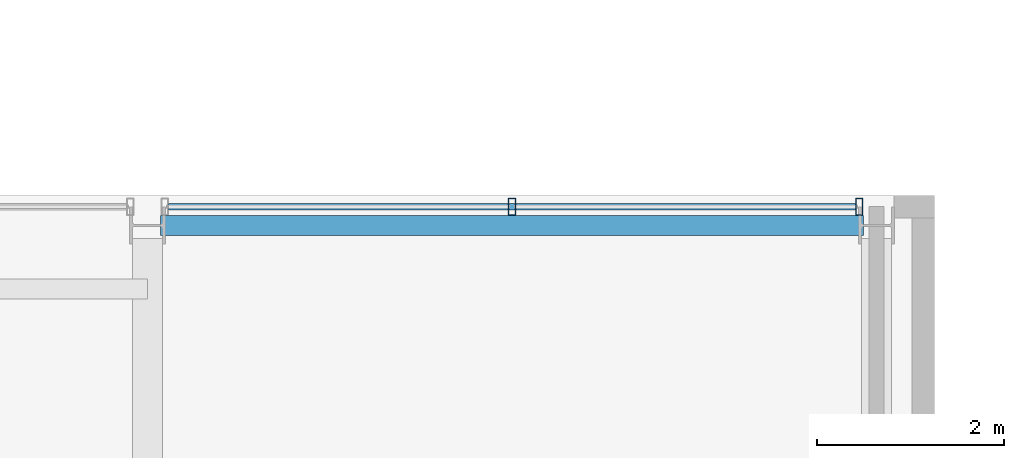
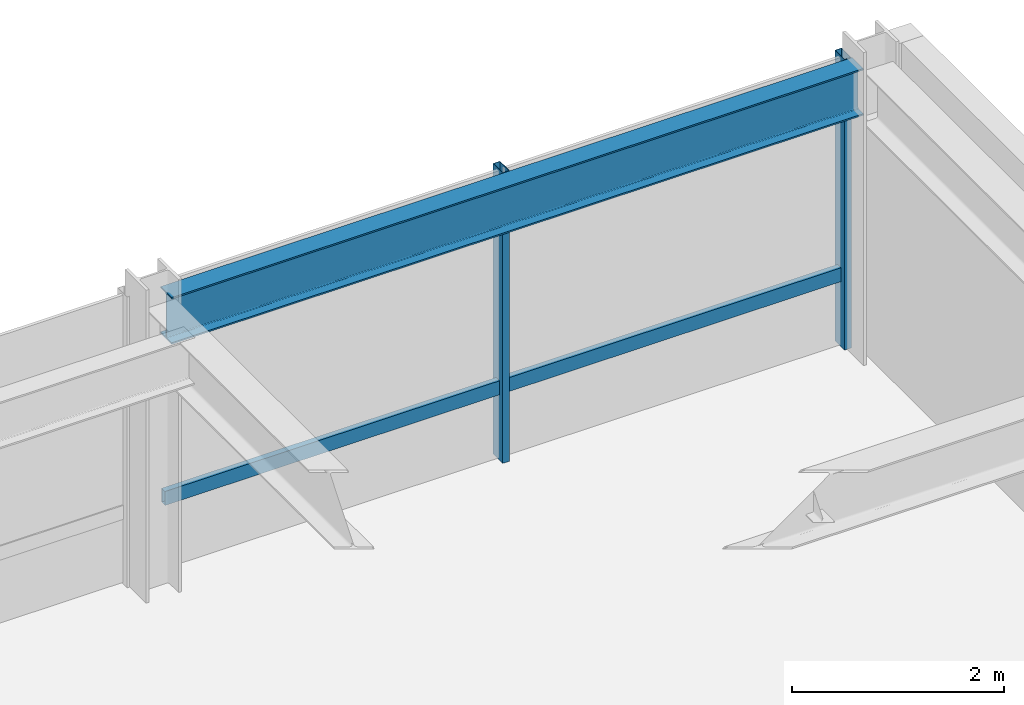
# One storey, part 23 of 31: 3 members, 1 beam, 1 element without a shape of its own.
"""IFC4 building model written with IfcOpenShell, lengths in metres."""

from ifc_helpers import new_model, si_unit, direction, frame, origin, origin_2d, place, context, subcontext, project, spatial, hollow_rectangle, i_section, extrude, material, layer, layer_set, material_profile, profile_set, type_object, element, aggregate, save


model = new_model("IFC4")

# Units and contexts
model_context = context("Model", 3, precision=1e-05, world=origin(), true_north=direction((0.0, 1.0)))
body_context = subcontext(model_context, "Body", "Model", "MODEL_VIEW")
ifc_project = project(units=[si_unit("LENGTHUNIT", "METRE"), si_unit("AREAUNIT", "SQUARE_METRE"), si_unit("VOLUMEUNIT", "CUBIC_METRE"), si_unit("PLANEANGLEUNIT", "RADIAN"), si_unit("MASSUNIT", "GRAM", prefix="KILO")], contexts=[model_context])

# Site, building, storey
site_placement = place(None, origin())
site = spatial("IfcSite", under=ifc_project, at=site_placement, CompositionType="ELEMENT")
building_placement = place(site_placement, origin())
building = spatial("IfcBuilding", under=site, at=building_placement, Name="Drelvath Grand Hotel", CompositionType="ELEMENT")
storey_placement = place(building_placement, frame((0.0, 0.0, 219.5)))
storey = spatial("IfcBuildingStorey", under=building, at=storey_placement, Name="L57", CompositionType="ELEMENT", Elevation=219.5)

# Curtain wall, members
ifc_material_1 = material(Name="Platinum-Mist Anodised Aluminium Frame", Category="aluminium")
ifc_layer = layer(ifc_material_1, 0.199951171875)
ifc_layer_set = layer_set([ifc_layer], Name="Platinum-Mist Anodised Aluminium Frame")
curtain_wall_type = type_object("IfcCurtainWallType", Name="Stick Curtain Wall CW-05 Platinum Mist High-Rise", PredefinedType="NOTDEFINED", material=ifc_layer_set)
curtain_wall_placement = place(storey_placement, origin())
curtain_wall = element("IfcCurtainWall", 1, at=curtain_wall_placement, inside=storey, type_object=curtain_wall_type, Name="L57 CW-05 Curtain Wall CW05-L57-NE2", PredefinedType="NOTDEFINED")
ifc_material_profile_1 = material_profile(ifc_material_1, hollow_rectangle(XDim=0.06494140625, YDim=0.159912109375, WallThickness=0.00390625, at=origin_2d()), Name="HSS160X65X4")
ifc_profile_set_1 = profile_set([ifc_material_profile_1], Name="Platinum-Mist Anodised Aluminium Frame")
member_type_1 = type_object("IfcMemberType", Name="Curtain Wall Horizontal Transom CW-05 HSS160X65X4", PredefinedType="USERDEFINED", material=ifc_profile_set_1)
member_1_placement = place(storey_placement, frame((8.625244140625, 49.080078125, 0.8349609375), z_axis=(1.0, 0.0, 0.0), x_axis=(0.0, 1.0, 0.0)))
member_1 = element("IfcMember", 2, at=member_1_placement, type_object=member_type_1, Name="CW05-L57-NE2 Sill Transom", ObjectType="TRANSOM", PredefinedType="USERDEFINED", context=body_context, shape_type="SweptSolid", body=[
    extrude(hollow_rectangle(XDim=0.06494140625, YDim=0.159912109375, WallThickness=0.00390625, at=origin_2d()), origin(), (0.0, 0.0, 1.0), 7.349365234375),
])
ifc_material_profile_2 = material_profile(ifc_material_1, hollow_rectangle(XDim=0.074951171875, YDim=0.179931640625, WallThickness=0.0048828125, at=origin_2d()), Name="HSS180X75X5")
ifc_profile_set_2 = profile_set([ifc_material_profile_2], Name="Platinum-Mist Anodised Aluminium Frame")
member_type_2 = type_object("IfcMemberType", Name="Curtain Wall Vertical Mullion CW-05 HSS180X75X5", PredefinedType="MULLION", material=ifc_profile_set_2)
member_2_placement = place(storey_placement, frame((12.300048828125, 49.080078125, 0.0), z_axis=(0.0, 0.0, 1.0), x_axis=(1.0, 0.0, 0.0)))
member_2 = element("IfcMember", 3, at=member_2_placement, type_object=member_type_2, Name="CW05-L57-NE2 Mullion 2", PredefinedType="MULLION", context=body_context, shape_type="SweptSolid", body=[
    extrude(hollow_rectangle(XDim=0.074951171875, YDim=0.179931640625, WallThickness=0.0048828125, at=origin_2d()), origin(), (0.0, 0.0, 1.0), 3.340087890625),
])
member_3_placement = place(storey_placement, frame((16.0146484375, 49.080078125, 0.0), z_axis=(0.0, 0.0, 1.0), x_axis=(1.0, 0.0, 0.0)))
member_3 = element("IfcMember", 4, at=member_3_placement, type_object=member_type_2, Name="CW05-L57-NE2 Mullion 3", PredefinedType="MULLION", context=body_context, shape_type="SweptSolid", body=[
    extrude(hollow_rectangle(XDim=0.074951171875, YDim=0.179931640625, WallThickness=0.0048828125, at=origin_2d()), origin(), (0.0, 0.0, 1.0), 3.340087890625),
])
aggregate(curtain_wall, [member_2, member_3, member_1])

# Beam
ifc_material_2 = material(Name="Steel ASTM A992 Gr 50", Category="steel")
ifc_material_profile_3 = material_profile(ifc_material_2, i_section(OverallWidth=0.210205078125, OverallDepth=0.53662109375, WebThickness=0.010986328125, FlangeThickness=0.017333984375, FilletRadius=0.01806640625, at=origin_2d()), Name="W21X68")
ifc_profile_set_3 = profile_set([ifc_material_profile_3], Name="Steel ASTM A992 Gr 50")
beam_type = type_object("IfcBeamType", Name="Perimeter Spandrel Beam W21X68", PredefinedType="SPANDREL", material=ifc_profile_set_3)
beam_placement = place(storey_placement, frame((8.5400390625, 48.8798828125, 3.07177734375), z_axis=(1.0, 0.0, 0.0), x_axis=(0.0, 1.0, 0.0)))
element("IfcBeam", 5, at=beam_placement, inside=storey, type_object=beam_type, Name="L57 Spandrel North E", PredefinedType="SPANDREL", context=body_context, shape_type="SweptSolid", body=[
    extrude(i_section(OverallWidth=0.210205078125, OverallDepth=0.53662109375, WebThickness=0.010986328125, FlangeThickness=0.017333984375, FilletRadius=0.01806640625, at=origin_2d()), origin(), (0.0, 0.0, 1.0), 7.52001953125),
])

save(model, "model.ifc")
